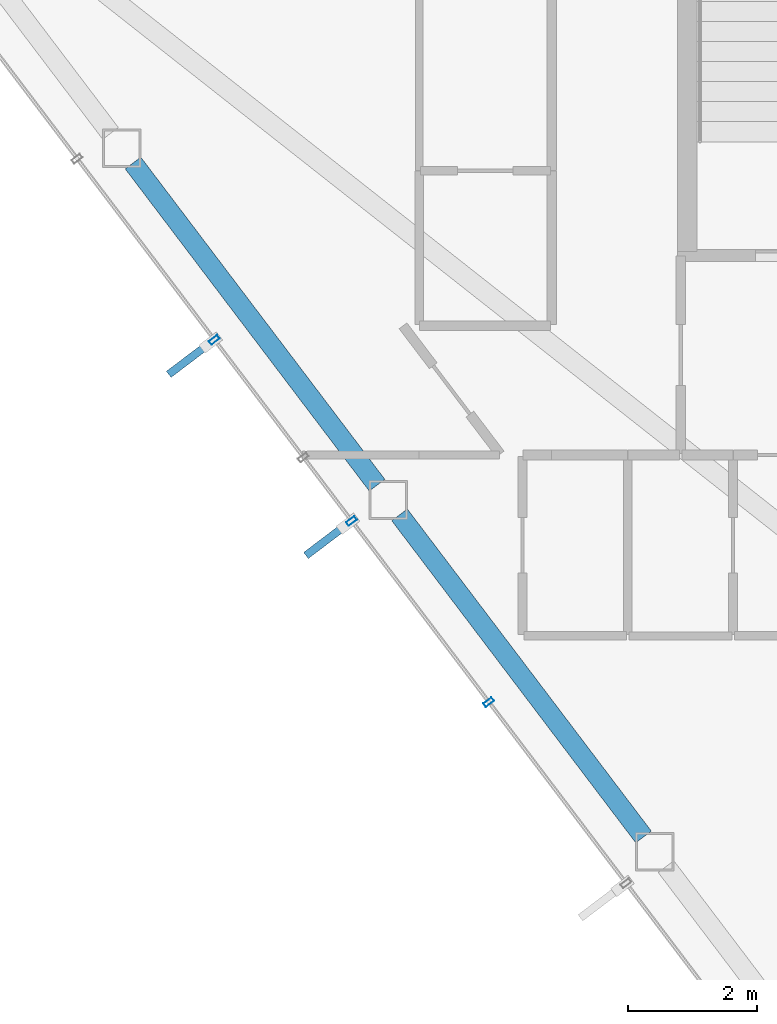
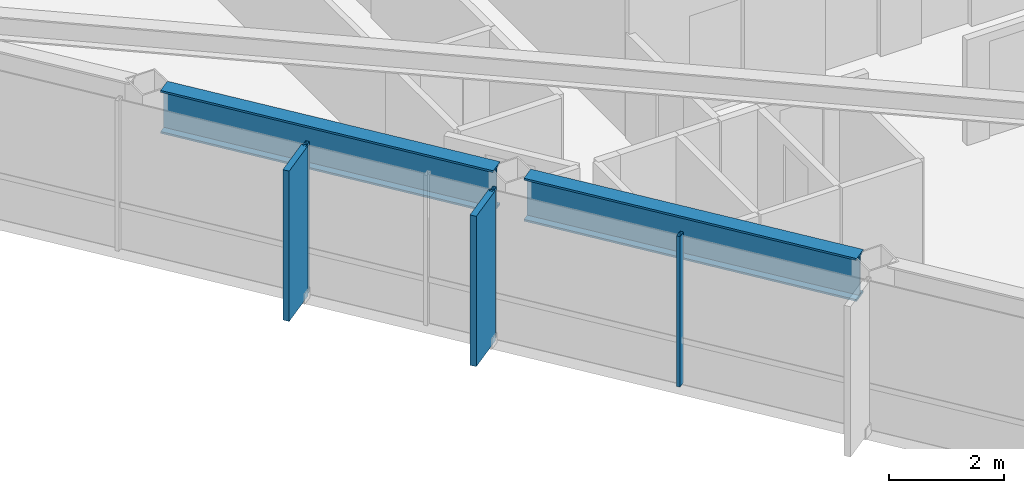
# One storey, part 3 of 25: 5 members, 2 beams, 1 element without a shape of its own.
"""IFC4 building model written with IfcOpenShell, lengths in metres."""

from ifc_helpers import new_model, si_unit, direction, frame, origin, origin_2d, place, context, subcontext, project, spatial, rectangle, hollow_rectangle, i_section, extrude, material, layer, layer_set, material_profile, profile_set, type_object, element, aggregate, save


model = new_model("IFC4")

# Units and contexts
model_context = context("Model", 3, precision=1e-05, world=origin(), true_north=direction((0.0, 1.0)))
body_context = subcontext(model_context, "Body", "Model", "MODEL_VIEW")
ifc_project = project(units=[si_unit("LENGTHUNIT", "METRE"), si_unit("AREAUNIT", "SQUARE_METRE"), si_unit("VOLUMEUNIT", "CUBIC_METRE"), si_unit("PLANEANGLEUNIT", "RADIAN"), si_unit("MASSUNIT", "GRAM", prefix="KILO")], contexts=[model_context])

# Site, building, storey
site_placement = place(None, origin())
site = spatial("IfcSite", under=ifc_project, at=site_placement, CompositionType="ELEMENT")
building_placement = place(site_placement, origin())
building = spatial("IfcBuilding", under=site, at=building_placement, Name="Zarrinselat Tower", CompositionType="ELEMENT")
storey_placement = place(building_placement, frame((0.0, 0.0, 208.760009765625)))
storey = spatial("IfcBuildingStorey", under=building, at=storey_placement, Name="L51", CompositionType="ELEMENT", Elevation=208.760009765625)

# Beams
ifc_material_1 = material(Name="Steel S460M", Category="steel")
ifc_material_profile_1 = material_profile(ifc_material_1, i_section(OverallWidth=0.302001953125, OverallDepth=0.909912109375, WebThickness=0.02099609375, FlangeThickness=0.0400390625, at=origin_2d()), Name="HEM 900")
ifc_profile_set_1 = profile_set([ifc_material_profile_1], Name="Steel S460M")
beam_type = type_object("IfcBeamType", Name="BM-HEM900", PredefinedType="BEAM", material=ifc_profile_set_1)
beam_1_placement = place(storey_placement, frame((20.069091796875, 34.6708984375, 2.72509765625), z_axis=(0.603869707238, -0.797083042525, 0.0), x_axis=(0.797083042525, 0.603869707238, 0.0)))
element("IfcBeam", 1, at=beam_1_placement, inside=storey, type_object=beam_type, Name="L51 Perimeter Spandrel Girder SP07", PredefinedType="BEAM", context=body_context, shape_type="SweptSolid", body=[
    extrude(i_section(OverallWidth=0.302001953125, OverallDepth=0.909912109375, WebThickness=0.02099609375, FlangeThickness=0.0400390625, at=origin_2d()), origin(), (0.0, 0.0, 1.0), 6.25732421875),
])
beam_2_placement = place(storey_placement, frame((24.1953125, 29.22412109375, 2.72509765625), z_axis=(0.603888487987, -0.797068813891, 0.0), x_axis=(0.797068813891, 0.603888487987, 0.0)))
element("IfcBeam", 2, at=beam_2_placement, inside=storey, type_object=beam_type, Name="L51 Perimeter Spandrel Girder SP08", PredefinedType="BEAM", context=body_context, shape_type="SweptSolid", body=[
    extrude(i_section(OverallWidth=0.302001953125, OverallDepth=0.909912109375, WebThickness=0.02099609375, FlangeThickness=0.0400390625, at=origin_2d()), origin(), (0.0, 0.0, 1.0), 6.257080078125),
])

# Curtain wall, members
ifc_material_2 = material(Name="Extruded Aluminium Alloy EN AW-6063 T6", Category="aluminium")
ifc_layer = layer(ifc_material_2, 0.169921875)
ifc_layer_set = layer_set([ifc_layer], Name="Extruded Aluminium Alloy EN AW-6063 T6")
curtain_wall_type = type_object("IfcCurtainWallType", Name="CWS-RES", PredefinedType="NOTDEFINED", material=ifc_layer_set)
curtain_wall_placement = place(storey_placement, origin())
curtain_wall = element("IfcCurtainWall", 3, at=curtain_wall_placement, inside=storey, type_object=curtain_wall_type, Name="L51 Unitised Curtain Wall CW-L51-E03", PredefinedType="NOTDEFINED")
ifc_material_3 = material(Name="Extruded Aluminium Alloy EN AW-6063 T6", Category="aluminium")
ifc_material_profile_2 = material_profile(ifc_material_3, hollow_rectangle(XDim=0.070068359375, YDim=0.159912109375, WallThickness=0.00390625, at=origin_2d()), Name="RHS 160x70x4")
ifc_profile_set_2 = profile_set([ifc_material_profile_2], Name="Extruded Aluminium Alloy EN AW-6063 T6")
member_type_1 = type_object("IfcMemberType", Name="MEM-CW-MUL2", PredefinedType="MULLION", material=ifc_profile_set_2)
member_1_placement = place(storey_placement, frame((21.32763671875, 31.933349609375, 0.0), z_axis=(0.0, 0.0, 1.0), x_axis=(0.603858850791, -0.797091267247, 0.0)))
member_1 = element("IfcMember", 4, at=member_1_placement, type_object=member_type_1, Name="CW-L51-E03 Mullion 3", PredefinedType="MULLION", context=body_context, shape_type="SweptSolid", body=[
    extrude(hollow_rectangle(XDim=0.070068359375, YDim=0.159912109375, WallThickness=0.00390625, at=origin_2d()), origin(), (0.0, 0.0, 1.0), 3.179931640625),
])
member_2_placement = place(storey_placement, frame((23.452392578125, 29.12890625, 0.0), z_axis=(0.0, 0.0, 1.0), x_axis=(0.603858850791, -0.797091267247, 0.0)))
member_2 = element("IfcMember", 5, at=member_2_placement, type_object=member_type_1, Name="CW-L51-E03 Mullion 5", PredefinedType="MULLION", context=body_context, shape_type="SweptSolid", body=[
    extrude(hollow_rectangle(XDim=0.070068359375, YDim=0.159912109375, WallThickness=0.00390625, at=origin_2d()), origin(), (0.0, 0.0, 1.0), 3.179931640625),
])
member_3_placement = place(storey_placement, frame((25.576904296875, 26.32421875, 0.0), z_axis=(0.0, 0.0, 1.0), x_axis=(0.603858850791, -0.797091267247, 0.0)))
member_3 = element("IfcMember", 6, at=member_3_placement, type_object=member_type_1, Name="CW-L51-E03 Mullion 6", PredefinedType="MULLION", context=body_context, shape_type="SweptSolid", body=[
    extrude(hollow_rectangle(XDim=0.070068359375, YDim=0.159912109375, WallThickness=0.00390625, at=origin_2d()), origin(), (0.0, 0.0, 1.0), 3.179931640625),
])
ifc_material_4 = material(Name="Honed Cream Travertine Stone", Category="masonry")
ifc_material_profile_3 = material_profile(ifc_material_4, rectangle(XDim=0.1201171875, YDim=0.85009765625, at=origin_2d()), Name="FIN 850x120")
ifc_profile_set_3 = profile_set([ifc_material_profile_3], Name="Honed Cream Travertine Stone")
member_type_2 = type_object("IfcMemberType", Name="MEM-STONE-FIN", PredefinedType="USERDEFINED", material=ifc_profile_set_3)
member_4_placement = place(storey_placement, frame((20.9609375, 31.655517578125, 0.0), z_axis=(0.0, 0.0, 1.0), x_axis=(-0.603858850791, 0.797091267247, 0.0)))
member_4 = element("IfcMember", 7, at=member_4_placement, type_object=member_type_2, Name="L51 Stone Shading Fin CW-L51-E03-03", ObjectType="FIN", PredefinedType="USERDEFINED", context=body_context, shape_type="SweptSolid", body=[
    extrude(rectangle(XDim=0.1201171875, YDim=0.85009765625, at=origin_2d()), origin(), (0.0, 0.0, 1.0), 3.179931640625),
])
member_5_placement = place(storey_placement, frame((23.085693359375, 28.85107421875, 0.0), z_axis=(0.0, 0.0, 1.0), x_axis=(-0.603858850791, 0.797091267247, 0.0)))
member_5 = element("IfcMember", 8, at=member_5_placement, type_object=member_type_2, Name="L51 Stone Shading Fin CW-L51-E03-05", ObjectType="FIN", PredefinedType="USERDEFINED", context=body_context, shape_type="SweptSolid", body=[
    extrude(rectangle(XDim=0.1201171875, YDim=0.85009765625, at=origin_2d()), origin(), (0.0, 0.0, 1.0), 3.179931640625),
])
aggregate(curtain_wall, [member_1, member_4, member_2, member_5, member_3])

save(model, "model.ifc")
